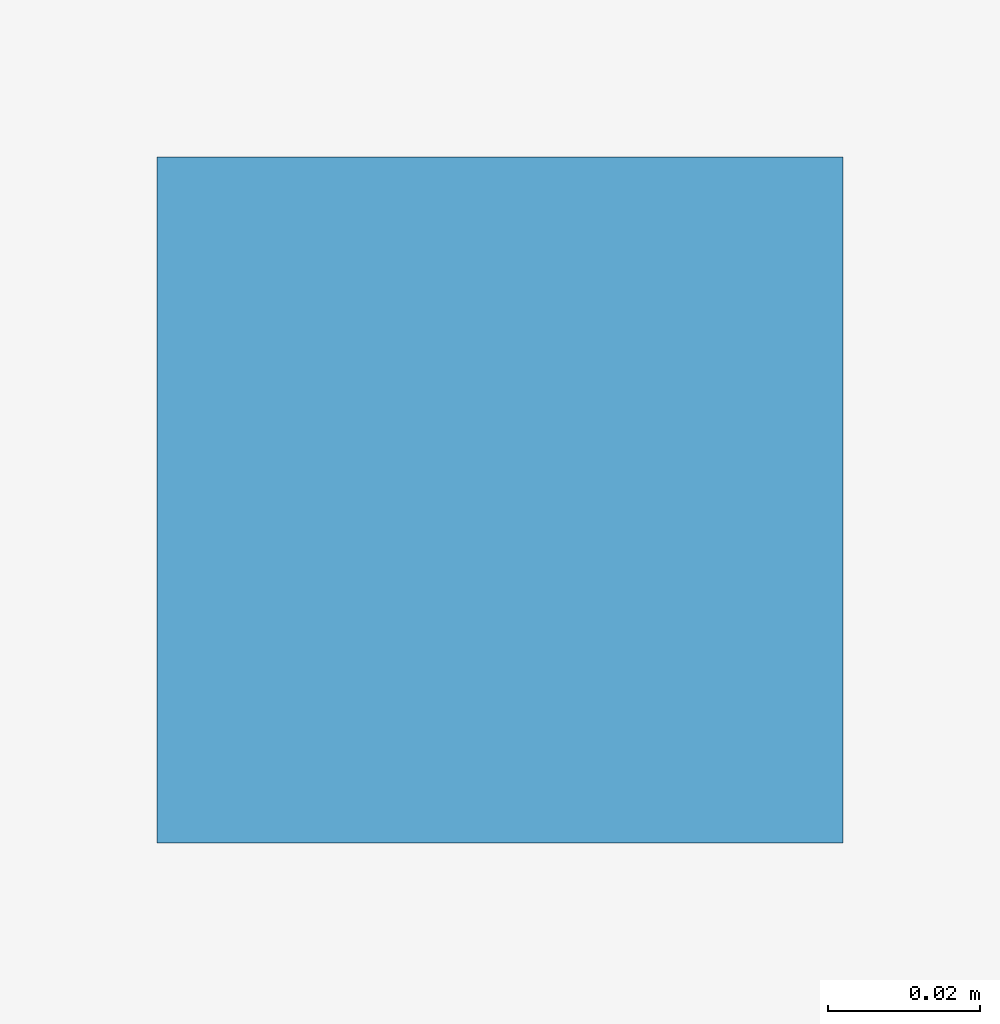
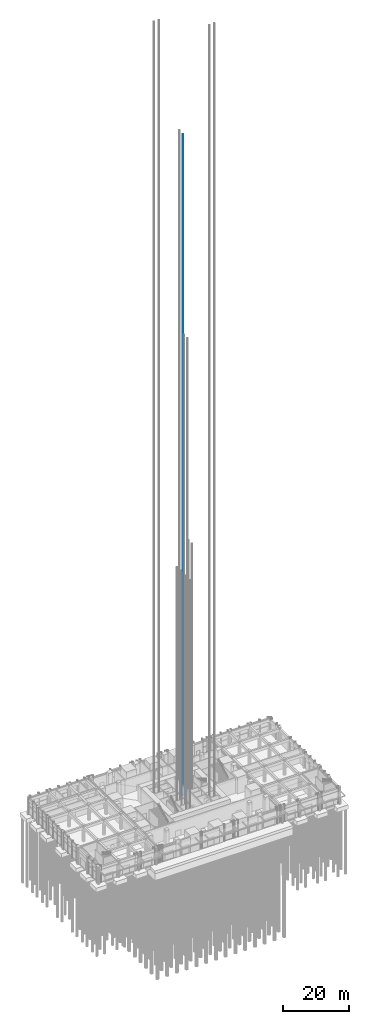
# One storey, part 39 of 46: 1 discrete accessory.
"""IFC4 building model written with IfcOpenShell, lengths in metres."""

from ifc_helpers import new_model, si_unit, direction, frame, origin, origin_2d, place, context, subcontext, project, spatial, rectangle, extrude, element, save


model = new_model("IFC4")

# Units and contexts
model_context = context("Model", 3, precision=1e-05, world=origin(), true_north=direction((0.0, 1.0)))
body_context = subcontext(model_context, "Body", "Model", "MODEL_VIEW")
ifc_project = project(units=[si_unit("LENGTHUNIT", "METRE"), si_unit("AREAUNIT", "SQUARE_METRE"), si_unit("VOLUMEUNIT", "CUBIC_METRE"), si_unit("PLANEANGLEUNIT", "RADIAN"), si_unit("MASSUNIT", "GRAM", prefix="KILO")], contexts=[model_context])

# Site, building, storey
site_placement = place(None, origin())
site = spatial("IfcSite", under=ifc_project, at=site_placement, CompositionType="ELEMENT")
building_placement = place(site_placement, origin())
building = spatial("IfcBuilding", under=site, at=building_placement, Name="Svetlomir Tower", CompositionType="ELEMENT")
storey_placement = place(building_placement, origin())
storey = spatial("IfcBuildingStorey", under=building, at=storey_placement, Name="L00", CompositionType="ELEMENT", Elevation=0.0)

# Discrete accessory
discrete_accessory_placement = place(storey_placement, frame((24.050048828125, 27.02490234375, 0.0), z_axis=(0.0, 0.0, 1.0), x_axis=(1.0, 0.0, 0.0)))
element("IfcDiscreteAccessory", 1, at=discrete_accessory_placement, inside=storey, Name="Lift SH3 guide rail 1", ObjectType="LIFT GUIDE RAIL", PredefinedType="USERDEFINED", context=body_context, shape_type="SweptSolid", body=[
    extrude(rectangle(XDim=0.090087890625, YDim=0.090087890625, at=origin_2d()), origin(), (0.0, 0.0, 1.0), 243.449951171875),
])

save(model, "model.ifc")
